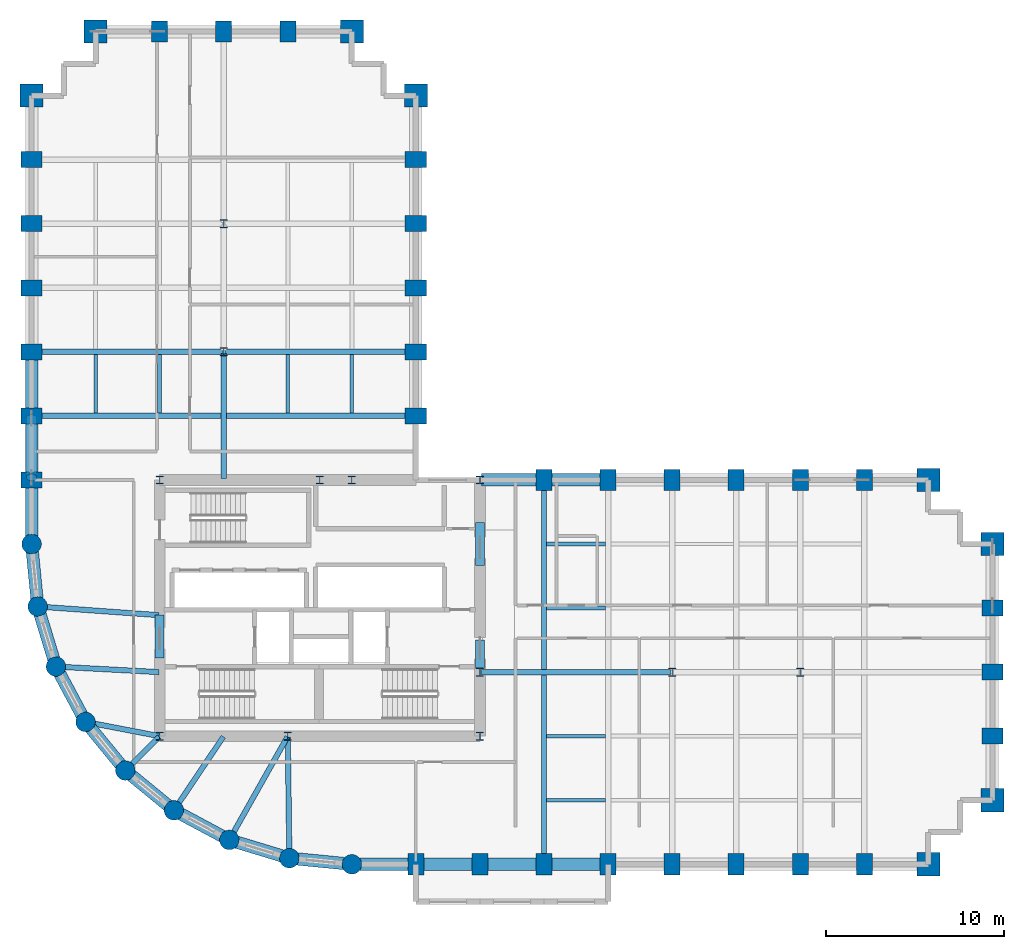
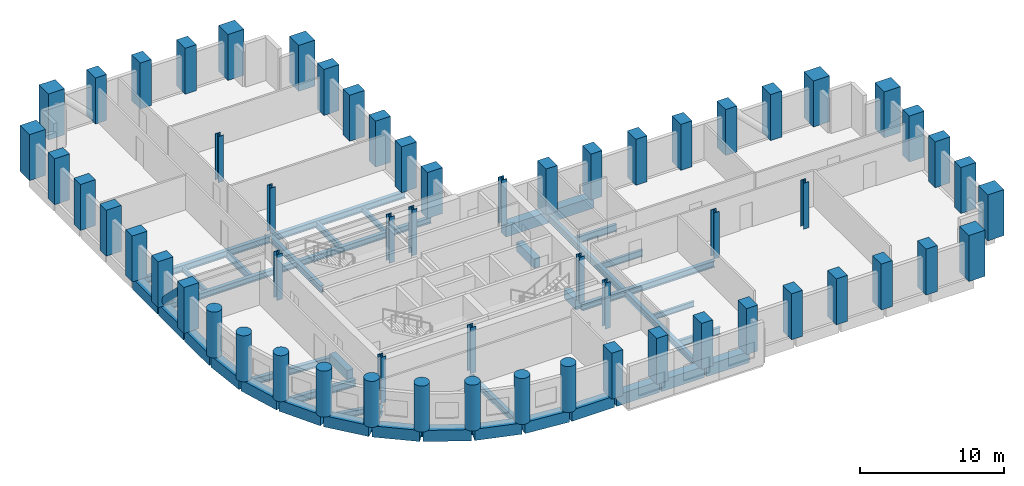
# One storey, part 1 of 9: 60 columns, 41 beams, 1 member.
"""IFC4 building model written with IfcOpenShell, lengths in metres."""

from ifc_helpers import new_model, si_unit, direction, frame, origin, origin_2d, place, context, subcontext, project, spatial, rectangle, circle, hollow_circle, i_section, extrude, material, material_profile, profile_set, type_object, element, save


model = new_model("IFC4")

# Units and contexts
model_context = context("Model", 3, precision=1e-05, world=origin(), true_north=direction((0.0, 1.0)))
body_context = subcontext(model_context, "Body", "Model", "MODEL_VIEW")
ifc_project = project(units=[si_unit("LENGTHUNIT", "METRE"), si_unit("AREAUNIT", "SQUARE_METRE"), si_unit("VOLUMEUNIT", "CUBIC_METRE"), si_unit("PLANEANGLEUNIT", "RADIAN"), si_unit("MASSUNIT", "GRAM", prefix="KILO")], contexts=[model_context])

# Site, building, storey
site_placement = place(None, origin())
site = spatial("IfcSite", under=ifc_project, at=site_placement, CompositionType="ELEMENT")
building_placement = place(site_placement, origin())
building = spatial("IfcBuilding", under=site, at=building_placement, Name="Solnavia Interchange Tower", CompositionType="ELEMENT")
storey_placement = place(building_placement, frame((0.0, 0.0, 66.89990234375)))
storey = spatial("IfcBuildingStorey", under=building, at=storey_placement, Name="L16", CompositionType="ELEMENT", Elevation=66.89990234375)

# Columns
ifc_material_1 = material(Name="Concrete C60/75", Category="concrete")
ifc_material_profile_1 = material_profile(ifc_material_1, rectangle(XDim=0.89990234375, YDim=1.199951171875, at=origin_2d()), Name="RC 1200x900")
ifc_profile_set_1 = profile_set([ifc_material_profile_1], Name="Concrete C60/75")
column_type_1 = type_object("IfcColumnType", Name="Col-RC-1200x900", PredefinedType="COLUMN", material=ifc_profile_set_1)
for number, where, z_axis, x_axis, name in (
    (1, (7.199951171875, 25.199951171875, 0.0), (0.0, 0.0, 1.0), (0.0, 1.0, 0.0), "COL-L16-02 Tower perim y column"),
    (2, (7.199951171875, 28.800048828125, 0.0), (0.0, 0.0, 1.0), (0.0, 1.0, 0.0), "COL-L16-03 Tower perim y column"),
    (3, (7.199951171875, 32.39990234375, 0.0), (0.0, 0.0, 1.0), (0.0, 1.0, 0.0), "COL-L16-04 Tower perim y column"),
    (4, (7.199951171875, 36.0, 0.0), (0.0, 0.0, 1.0), (0.0, 1.0, 0.0), "COL-L16-05 Tower perim y column"),
    (5, (7.199951171875, 39.60009765625, 0.0), (0.0, 0.0, 1.0), (0.0, 1.0, 0.0), "COL-L16-06 Tower perim y column"),
    (6, (7.199951171875, 43.199951171875, 0.0), (0.0, 0.0, 1.0), (0.0, 1.0, 0.0), "COL-L16-07 Tower perim y column"),
    (7, (14.39990234375, 50.39990234375, 0.0), (0.0, 0.0, 1.0), (1.0, 0.0, 0.0), "COL-L16-16 Tower perim x column"),
    (8, (18.0, 50.39990234375, 0.0), (0.0, 0.0, 1.0), (1.0, 0.0, 0.0), "COL-L16-20 Tower perim x column"),
    (9, (21.60009765625, 50.39990234375, 0.0), (0.0, 0.0, 1.0), (1.0, 0.0, 0.0), "COL-L16-23 Tower perim x column"),
    (10, (28.800048828125, 3.60009765625, 0.0), (0.0, 0.0, 1.0), (1.0, 0.0, 0.0), "COL-L16-29 Tower perim x column"),
    (11, (28.800048828125, 28.800048828125, 0.0), (0.0, 0.0, 1.0), (0.0, 1.0, 0.0), "COL-L16-30 Tower perim y column"),
    (12, (28.800048828125, 32.39990234375, 0.0), (0.0, 0.0, 1.0), (0.0, 1.0, 0.0), "COL-L16-31 Tower perim y column"),
    (13, (28.800048828125, 36.0, 0.0), (0.0, 0.0, 1.0), (0.0, 1.0, 0.0), "COL-L16-32 Tower perim y column"),
    (14, (28.800048828125, 39.60009765625, 0.0), (0.0, 0.0, 1.0), (0.0, 1.0, 0.0), "COL-L16-33 Tower perim y column"),
    (15, (28.800048828125, 43.199951171875, 0.0), (0.0, 0.0, 1.0), (0.0, 1.0, 0.0), "COL-L16-34 Tower perim y column"),
    (16, (32.39990234375, 3.60009765625, 0.0), (0.0, 0.0, 1.0), (1.0, 0.0, 0.0), "COL-L16-36 Tower perim x column"),
    (17, (36.0, 3.60009765625, 0.0), (0.0, 0.0, 1.0), (1.0, 0.0, 0.0), "COL-L16-40 Tower perim x column"),
    (18, (36.0, 25.199951171875, 0.0), (0.0, 0.0, 1.0), (1.0, 0.0, 0.0), "COL-L16-41 Tower perim x column"),
    (19, (39.60009765625, 3.60009765625, 0.0), (0.0, 0.0, 1.0), (1.0, 0.0, 0.0), "COL-L16-42 Tower perim x column"),
    (20, (39.60009765625, 25.199951171875, 0.0), (0.0, 0.0, 1.0), (1.0, 0.0, 0.0), "COL-L16-43 Tower perim x column"),
    (21, (43.199951171875, 3.60009765625, 0.0), (0.0, 0.0, 1.0), (1.0, 0.0, 0.0), "COL-L16-44 Tower perim x column"),
    (22, (43.199951171875, 25.199951171875, 0.0), (0.0, 0.0, 1.0), (1.0, 0.0, 0.0), "COL-L16-46 Tower perim x column"),
    (23, (46.800048828125, 3.60009765625, 0.0), (0.0, 0.0, 1.0), (1.0, 0.0, 0.0), "COL-L16-47 Tower perim x column"),
    (24, (46.800048828125, 25.199951171875, 0.0), (0.0, 0.0, 1.0), (1.0, 0.0, 0.0), "COL-L16-48 Tower perim x column"),
    (25, (50.39990234375, 3.60009765625, 0.0), (0.0, 0.0, 1.0), (1.0, 0.0, 0.0), "COL-L16-49 Tower perim x column"),
    (26, (50.39990234375, 25.199951171875, 0.0), (0.0, 0.0, 1.0), (1.0, 0.0, 0.0), "COL-L16-51 Tower perim x column"),
    (27, (54.0, 3.60009765625, 0.0), (0.0, 0.0, 1.0), (1.0, 0.0, 0.0), "COL-L16-52 Tower perim x column"),
    (28, (54.0, 25.199951171875, 0.0), (0.0, 0.0, 1.0), (1.0, 0.0, 0.0), "COL-L16-53 Tower perim x column"),
    (29, (61.199951171875, 10.800048828125, 0.0), (0.0, 0.0, 1.0), (0.0, 1.0, 0.0), "COL-L16-57 Tower perim y column"),
    (30, (61.199951171875, 14.39990234375, 0.0), (0.0, 0.0, 1.0), (0.0, 1.0, 0.0), "COL-L16-58 Tower perim y column"),
    (31, (61.199951171875, 18.0, 0.0), (0.0, 0.0, 1.0), (0.0, 1.0, 0.0), "COL-L16-59 Tower perim y column"),
):
    element("IfcColumn", number, at=place(storey_placement, frame(where, z_axis=z_axis, x_axis=x_axis)), inside=storey, type_object=column_type_1, Name=name, PredefinedType="COLUMN", context=body_context, shape_type="SweptSolid", body=[
        extrude(rectangle(XDim=0.89990234375, YDim=1.199951171875, at=origin_2d()), origin(), (0.0, 0.0, 1.0), 3.900146484375),
    ])
ifc_material_profile_2 = material_profile(ifc_material_1, rectangle(XDim=1.300048828125, YDim=1.300048828125, at=origin_2d()), Name="RC 1300x1300")
ifc_profile_set_2 = profile_set([ifc_material_profile_2], Name="Concrete C60/75")
column_type_2 = type_object("IfcColumnType", Name="Col-RC-1300x1300", PredefinedType="COLUMN", material=ifc_profile_set_2)
for number, where, z_axis, x_axis, name in (
    (32, (7.199951171875, 46.800048828125, 0.0), (0.0, 0.0, 1.0), (0.0, 1.0, 0.0), "COL-L16-08 Tower corner column"),
    (33, (10.800048828125, 50.39990234375, 0.0), (0.0, 0.0, 1.0), (1.0, 0.0, 0.0), "COL-L16-12 Tower corner column"),
    (34, (25.199951171875, 50.39990234375, 0.0), (0.0, 0.0, 1.0), (1.0, 0.0, 0.0), "COL-L16-28 Tower corner column"),
    (35, (28.800048828125, 46.800048828125, 0.0), (0.0, 0.0, 1.0), (0.0, 1.0, 0.0), "COL-L16-35 Tower corner column"),
    (36, (57.60009765625, 3.60009765625, 0.0), (0.0, 0.0, 1.0), (1.0, 0.0, 0.0), "COL-L16-54 Tower corner column"),
    (37, (57.60009765625, 25.199951171875, 0.0), (0.0, 0.0, 1.0), (1.0, 0.0, 0.0), "COL-L16-55 Tower corner column"),
    (38, (61.199951171875, 7.199951171875, 0.0), (0.0, 0.0, 1.0), (1.0, 0.0, 0.0), "COL-L16-56 Tower corner column"),
    (39, (61.199951171875, 21.60009765625, 0.0), (0.0, 0.0, 1.0), (0.0, 1.0, 0.0), "COL-L16-60 Tower corner column"),
):
    element("IfcColumn", number, at=place(storey_placement, frame(where, z_axis=z_axis, x_axis=x_axis)), inside=storey, type_object=column_type_2, Name=name, PredefinedType="COLUMN", context=body_context, shape_type="SweptSolid", body=[
        extrude(rectangle(XDim=1.300048828125, YDim=1.300048828125, at=origin_2d()), origin(), (0.0, 0.0, 1.0), 3.900146484375),
    ])
ifc_material_profile_3 = material_profile(ifc_material_1, circle(Radius=0.550048828125, at=origin_2d()), Name="RC D1100")
ifc_profile_set_3 = profile_set([ifc_material_profile_3], Name="Concrete C60/75")
column_type_3 = type_object("IfcColumnType", Name="Col-RC-D1100", PredefinedType="COLUMN", material=ifc_profile_set_3)
for number, where, z_axis, x_axis, name in (
    (40, (7.199951171875, 21.60009765625, 0.0), (0.0, 0.0, 1.0), (1.0, 0.0, 0.0), "COL-L16-01 Tower drum column"),
    (41, (7.5458984375, 18.087890625, 0.0), (0.0, 0.0, 1.0), (1.0, 0.0, 0.0), "COL-L16-09 Tower drum column"),
    (42, (8.570068359375, 14.7119140625, 0.0), (0.0, 0.0, 1.0), (1.0, 0.0, 0.0), "COL-L16-10 Tower drum column"),
    (43, (10.23388671875, 11.60009765625, 0.0), (0.0, 0.0, 1.0), (1.0, 0.0, 0.0), "COL-L16-11 Tower drum column"),
    (44, (12.471923828125, 8.8720703125, 0.0), (0.0, 0.0, 1.0), (1.0, 0.0, 0.0), "COL-L16-13 Tower drum column"),
    (45, (15.199951171875, 6.634033203125, 0.0), (0.0, 0.0, 1.0), (1.0, 0.0, 0.0), "COL-L16-17 Tower drum column"),
    (46, (18.31201171875, 4.969970703125, 0.0), (0.0, 0.0, 1.0), (1.0, 0.0, 0.0), "COL-L16-21 Tower drum column"),
    (47, (21.68798828125, 3.946044921875, 0.0), (0.0, 0.0, 1.0), (1.0, 0.0, 0.0), "COL-L16-24 Tower drum column"),
    (48, (25.199951171875, 3.60009765625, 0.0), (0.0, 0.0, 1.0), (1.0, 0.0, 0.0), "COL-L16-26 Tower drum column"),
):
    element("IfcColumn", number, at=place(storey_placement, frame(where, z_axis=z_axis, x_axis=x_axis)), inside=storey, type_object=column_type_3, Name=name, PredefinedType="COLUMN", context=body_context, shape_type="SweptSolid", body=[
        extrude(circle(Radius=0.550048828125, at=origin_2d()), origin(), (0.0, 0.0, 1.0), 3.900146484375),
    ])
ifc_material_2 = material(Name="Steel S355", Category="steel")
ifc_material_profile_4 = material_profile(ifc_material_2, i_section(OverallWidth=0.424072265625, OverallDepth=0.467041015625, WebThickness=0.032958984375, FlangeThickness=0.053466796875, FilletRadius=0.014892578125, at=origin_2d()), Name="HD 400x509")
ifc_profile_set_4 = profile_set([ifc_material_profile_4], Name="Steel S355")
column_type_4 = type_object("IfcColumnType", Name="Col-Steel-HD400x509", PredefinedType="COLUMN", material=ifc_profile_set_4)
for number, where, z_axis, x_axis, name in (
    (49, (14.39990234375, 10.800048828125, 0.0), (0.0, 0.0, 1.0), (1.0, 0.0, 0.0), "COL-L16-14 Tower interior column"),
    (50, (14.39990234375, 25.199951171875, 0.0), (0.0, 0.0, 1.0), (1.0, 0.0, 0.0), "COL-L16-15 Tower interior column"),
    (51, (18.0, 32.39990234375, 0.0), (0.0, 0.0, 1.0), (1.0, 0.0, 0.0), "COL-L16-18 Tower interior column"),
    (52, (18.0, 39.60009765625, 0.0), (0.0, 0.0, 1.0), (1.0, 0.0, 0.0), "COL-L16-19 Tower interior column"),
    (53, (21.60009765625, 10.800048828125, 0.0), (0.0, 0.0, 1.0), (1.0, 0.0, 0.0), "COL-L16-22 Tower interior column"),
    (54, (23.39990234375, 25.199951171875, 0.0), (0.0, 0.0, 1.0), (1.0, 0.0, 0.0), "COL-L16-25 Tower interior column"),
    (55, (25.199951171875, 25.199951171875, 0.0), (0.0, 0.0, 1.0), (1.0, 0.0, 0.0), "COL-L16-27 Tower interior column"),
    (56, (32.39990234375, 10.800048828125, 0.0), (0.0, 0.0, 1.0), (1.0, 0.0, 0.0), "COL-L16-37 Tower interior column"),
    (57, (32.39990234375, 14.39990234375, 0.0), (0.0, 0.0, 1.0), (1.0, 0.0, 0.0), "COL-L16-38 Tower interior column"),
    (58, (32.39990234375, 25.199951171875, 0.0), (0.0, 0.0, 1.0), (1.0, 0.0, 0.0), "COL-L16-39 Tower interior column"),
    (59, (43.199951171875, 14.39990234375, 0.0), (0.0, 0.0, 1.0), (1.0, 0.0, 0.0), "COL-L16-45 Tower interior column"),
    (60, (50.39990234375, 14.39990234375, 0.0), (0.0, 0.0, 1.0), (1.0, 0.0, 0.0), "COL-L16-50 Tower interior column"),
):
    element("IfcColumn", number, at=place(storey_placement, frame(where, z_axis=z_axis, x_axis=x_axis)), inside=storey, type_object=column_type_4, Name=name, PredefinedType="COLUMN", context=body_context, shape_type="SweptSolid", body=[
        extrude(i_section(OverallWidth=0.424072265625, OverallDepth=0.467041015625, WebThickness=0.032958984375, FlangeThickness=0.053466796875, FilletRadius=0.014892578125, at=origin_2d()), origin(), (0.0, 0.0, 1.0), 3.900146484375),
    ])

# Beams
ifc_material_3 = material(Name="Concrete C50/60", Category="concrete")
ifc_material_profile_5 = material_profile(ifc_material_3, rectangle(XDim=0.5, YDim=0.800048828125, at=origin_2d()), Name="RC 500x800")
ifc_profile_set_5 = profile_set([ifc_material_profile_5], Name="Concrete C50/60")
beam_type_1 = type_object("IfcBeamType", Name="Beam-Coupling-RC500x800", PredefinedType="LINTEL", material=ifc_profile_set_5)
beam_1_placement = place(storey_placement, frame((14.39990234375, 15.199951171875, -0.39990234375), z_axis=(0.0, 1.0, 0.0), x_axis=(-1.0, 0.0, 0.0)))
element("IfcBeam", 61, at=beam_1_placement, inside=storey, type_object=beam_type_1, Name="CPB-L16-W1 Core coupling lintel beam", PredefinedType="LINTEL", context=body_context, shape_type="SweptSolid", body=[
    extrude(rectangle(XDim=0.5, YDim=0.800048828125, at=origin_2d()), origin(), (0.0, 0.0, 1.0), 2.400146484375),
])
beam_2_placement = place(storey_placement, frame((32.39990234375, 14.60009765625, -0.39990234375), z_axis=(0.0, 1.0, 0.0), x_axis=(-1.0, 0.0, 0.0)))
element("IfcBeam", 62, at=beam_2_placement, inside=storey, type_object=beam_type_1, Name="CPB-L16-E1 Core coupling lintel beam", PredefinedType="LINTEL", context=body_context, shape_type="SweptSolid", body=[
    extrude(rectangle(XDim=0.5, YDim=0.800048828125, at=origin_2d()), origin(), (0.0, 0.0, 1.0), 1.599853515625),
])
beam_3_placement = place(storey_placement, frame((32.39990234375, 20.39990234375, -0.39990234375), z_axis=(0.0, 1.0, 0.0), x_axis=(-1.0, 0.0, 0.0)))
element("IfcBeam", 63, at=beam_3_placement, inside=storey, type_object=beam_type_1, Name="CPB-L16-E2 Core coupling lintel beam", PredefinedType="LINTEL", context=body_context, shape_type="SweptSolid", body=[
    extrude(rectangle(XDim=0.5, YDim=0.800048828125, at=origin_2d()), origin(), (0.0, 0.0, 1.0), 2.400146484375),
])
ifc_material_4 = material(Name="Steel S460", Category="steel")
ifc_material_profile_6 = material_profile(ifc_material_4, i_section(OverallWidth=0.300048828125, OverallDepth=0.550048828125, WebThickness=0.014892578125, FlangeThickness=0.029052734375, FilletRadius=0.027099609375, at=origin_2d()), Name="HEB 550")
ifc_profile_set_6 = profile_set([ifc_material_profile_6], Name="Steel S460")
beam_type_2 = type_object("IfcBeamType", Name="Beam-Girder-HEB550", PredefinedType="BEAM", material=ifc_profile_set_6)
beam_4_placement = place(storey_placement, frame((32.47998046875, 14.39990234375, -0.52490234375), z_axis=(1.0, 0.0, 0.0), x_axis=(0.0, 1.0, 0.0)))
element("IfcBeam", 64, at=beam_4_placement, inside=storey, type_object=beam_type_2, Name="GRD-L16-ES01 East wing spine girder", PredefinedType="BEAM", context=body_context, shape_type="SweptSolid", body=[
    extrude(i_section(OverallWidth=0.300048828125, OverallDepth=0.550048828125, WebThickness=0.014892578125, FlangeThickness=0.029052734375, FilletRadius=0.027099609375, at=origin_2d()), origin(), (0.0, 0.0, 1.0), 10.64013671875),
])
beam_5_placement = place(storey_placement, frame((36.0, 3.679931640625, -0.52490234375), z_axis=(0.0, 1.0, 0.0), x_axis=(-1.0, 0.0, 0.0)))
element("IfcBeam", 65, at=beam_5_placement, inside=storey, type_object=beam_type_2, Name="GRD-L16-EW04 East wing primary floor girder", PredefinedType="BEAM", context=body_context, shape_type="SweptSolid", body=[
    extrude(i_section(OverallWidth=0.300048828125, OverallDepth=0.550048828125, WebThickness=0.014892578125, FlangeThickness=0.029052734375, FilletRadius=0.027099609375, at=origin_2d()), origin(), (0.0, 0.0, 1.0), 21.440185546875),
])
beam_6_placement = place(storey_placement, frame((18.0, 25.280029296875, -0.52490234375), z_axis=(0.0, 1.0, 0.0), x_axis=(-1.0, 0.0, 0.0)))
element("IfcBeam", 66, at=beam_6_placement, inside=storey, type_object=beam_type_2, Name="GRD-L16-NS12 North wing spine girder", PredefinedType="BEAM", context=body_context, shape_type="SweptSolid", body=[
    extrude(i_section(OverallWidth=0.300048828125, OverallDepth=0.550048828125, WebThickness=0.014892578125, FlangeThickness=0.029052734375, FilletRadius=0.027099609375, at=origin_2d()), origin(), (0.0, 0.0, 1.0), 7.0400390625),
])
for number, where, z_axis, x_axis, name in (
    (67, (7.280029296875, 32.39990234375, -0.52490234375), (1.0, 0.0, 0.0), (0.0, 1.0, 0.0), "GRD-L16-NW16 North wing primary floor girder"),
    (68, (18.080078125, 32.39990234375, -0.52490234375), (1.0, 0.0, 0.0), (0.0, 1.0, 0.0), "GRD-L16-NW17 North wing primary floor girder"),
):
    element("IfcBeam", number, at=place(storey_placement, frame(where, z_axis=z_axis, x_axis=x_axis)), inside=storey, type_object=beam_type_2, Name=name, PredefinedType="BEAM", context=body_context, shape_type="SweptSolid", body=[
        extrude(i_section(OverallWidth=0.300048828125, OverallDepth=0.550048828125, WebThickness=0.014892578125, FlangeThickness=0.029052734375, FilletRadius=0.027099609375, at=origin_2d()), origin(), (0.0, 0.0, 1.0), 10.639892578125),
    ])
beam_7_placement = place(storey_placement, frame((7.625732421875, 18.082275390625, -0.52490234375), z_axis=(0.99747482749, -0.071020902015, 0.0), x_axis=(0.071020902015, 0.99747482749, 0.0)))
element("IfcBeam", 69, at=beam_7_placement, inside=storey, type_object=beam_type_2, Name="GRD-L16-DR22 Drum radial floor girder", PredefinedType="BEAM", context=body_context, shape_type="SweptSolid", body=[
    extrude(i_section(OverallWidth=0.300048828125, OverallDepth=0.550048828125, WebThickness=0.014892578125, FlangeThickness=0.029052734375, FilletRadius=0.027099609375, at=origin_2d()), origin(), (0.0, 0.0, 1.0), 6.75146484375),
])
beam_8_placement = place(storey_placement, frame((12.528564453125, 8.9287109375, -0.52490234375), z_axis=(0.707106781187, 0.707106781187, 0.0), x_axis=(-0.707106781187, 0.707106781187, 0.0)))
element("IfcBeam", 70, at=beam_8_placement, inside=storey, type_object=beam_type_2, Name="GRD-L16-DR25 Drum radial floor girder", PredefinedType="BEAM", context=body_context, shape_type="SweptSolid", body=[
    extrude(i_section(OverallWidth=0.300048828125, OverallDepth=0.550048828125, WebThickness=0.014892578125, FlangeThickness=0.029052734375, FilletRadius=0.027099609375, at=origin_2d()), origin(), (0.0, 0.0, 1.0), 2.6064453125),
])
beam_9_placement = place(storey_placement, frame((21.68701171875, 4.02587890625, -0.52490234375), z_axis=(-0.01283293513, 0.999917654498, 0.0), x_axis=(-0.999917654498, -0.01283293513, 0.0)))
element("IfcBeam", 71, at=beam_9_placement, inside=storey, type_object=beam_type_2, Name="GRD-L16-DR28 Drum radial floor girder", PredefinedType="BEAM", context=body_context, shape_type="SweptSolid", body=[
    extrude(i_section(OverallWidth=0.300048828125, OverallDepth=0.550048828125, WebThickness=0.014892578125, FlangeThickness=0.029052734375, FilletRadius=0.027099609375, at=origin_2d()), origin(), (0.0, 0.0, 1.0), 6.734619140625),
])
ifc_material_profile_7 = material_profile(ifc_material_2, i_section(OverallWidth=0.18994140625, OverallDepth=0.449951171875, WebThickness=0.009521484375, FlangeThickness=0.0146484375, FilletRadius=0.02099609375, at=origin_2d()), Name="IPE 450")
ifc_profile_set_7 = profile_set([ifc_material_profile_7], Name="Steel S355")
beam_type_3 = type_object("IfcBeamType", Name="Beam-Joist-IPE450", PredefinedType="JOIST", material=ifc_profile_set_7)
for number, where, z_axis, x_axis, name in (
    (72, (36.14990234375, 10.800048828125, -0.474853515625), (1.0, 0.0, 0.0), (0.0, 1.0, 0.0), "JST-L16-E06 East wing secondary joist"),
    (73, (10.800048828125, 28.949951171875, -0.474853515625), (0.0, 1.0, 0.0), (-1.0, 0.0, 0.0), "JST-L16-N21 North wing secondary joist"),
    (74, (25.199951171875, 28.949951171875, -0.474853515625), (0.0, 1.0, 0.0), (-1.0, 0.0, 0.0), "JST-L16-N33 North wing secondary joist"),
):
    element("IfcBeam", number, at=place(storey_placement, frame(where, z_axis=z_axis, x_axis=x_axis)), inside=storey, type_object=beam_type_3, Name=name, PredefinedType="JOIST", context=body_context, shape_type="SweptSolid", body=[
        extrude(i_section(OverallWidth=0.18994140625, OverallDepth=0.449951171875, WebThickness=0.009521484375, FlangeThickness=0.0146484375, FilletRadius=0.02099609375, at=origin_2d()), origin(), (0.0, 0.0, 1.0), 3.300048828125),
    ])
ifc_material_profile_8 = material_profile(ifc_material_2, i_section(OverallWidth=0.2099609375, OverallDepth=0.550048828125, WebThickness=0.010986328125, FlangeThickness=0.01708984375, FilletRadius=0.02392578125, at=origin_2d()), Name="IPE 550")
ifc_profile_set_8 = profile_set([ifc_material_profile_8], Name="Steel S355")
beam_type_4 = type_object("IfcBeamType", Name="Beam-Joist-IPE550", PredefinedType="JOIST", material=ifc_profile_set_8)
for number, where, z_axis, x_axis, name in (
    (75, (36.14990234375, 18.0, -0.52490234375), (1.0, 0.0, 0.0), (0.0, 1.0, 0.0), "JST-L16-E11 East wing secondary joist"),
    (76, (21.60009765625, 28.949951171875, -0.52490234375), (0.0, 1.0, 0.0), (-1.0, 0.0, 0.0), "JST-L16-N29 North wing secondary joist"),
):
    element("IfcBeam", number, at=place(storey_placement, frame(where, z_axis=z_axis, x_axis=x_axis)), inside=storey, type_object=beam_type_4, Name=name, PredefinedType="JOIST", context=body_context, shape_type="SweptSolid", body=[
        extrude(i_section(OverallWidth=0.2099609375, OverallDepth=0.550048828125, WebThickness=0.010986328125, FlangeThickness=0.01708984375, FilletRadius=0.02392578125, at=origin_2d()), origin(), (0.0, 0.0, 1.0), 3.300048828125),
    ])
ifc_material_profile_9 = material_profile(ifc_material_2, i_section(OverallWidth=0.219970703125, OverallDepth=0.60009765625, WebThickness=0.011962890625, FlangeThickness=0.01904296875, FilletRadius=0.02392578125, at=origin_2d()), Name="IPE 600")
ifc_profile_set_9 = profile_set([ifc_material_profile_9], Name="Steel S355")
beam_type_5 = type_object("IfcBeamType", Name="Beam-Joist-IPE600", PredefinedType="JOIST", material=ifc_profile_set_9)
for number, where, z_axis, x_axis, name in (
    (77, (36.14990234375, 7.199951171875, -0.5498046875), (1.0, 0.0, 0.0), (0.0, 1.0, 0.0), "JST-L16-E01 East wing secondary joist"),
    (78, (36.14990234375, 21.60009765625, -0.5498046875), (1.0, 0.0, 0.0), (0.0, 1.0, 0.0), "JST-L16-E16 East wing secondary joist"),
    (79, (14.39990234375, 28.949951171875, -0.5498046875), (0.0, 1.0, 0.0), (-1.0, 0.0, 0.0), "JST-L16-N25 North wing secondary joist"),
):
    element("IfcBeam", number, at=place(storey_placement, frame(where, z_axis=z_axis, x_axis=x_axis)), inside=storey, type_object=beam_type_5, Name=name, PredefinedType="JOIST", context=body_context, shape_type="SweptSolid", body=[
        extrude(i_section(OverallWidth=0.219970703125, OverallDepth=0.60009765625, WebThickness=0.011962890625, FlangeThickness=0.01904296875, FilletRadius=0.02392578125, at=origin_2d()), origin(), (0.0, 0.0, 1.0), 3.300048828125),
    ])
ifc_material_profile_10 = material_profile(ifc_material_2, i_section(OverallWidth=0.300048828125, OverallDepth=0.489990234375, WebThickness=0.011962890625, FlangeThickness=0.02294921875, FilletRadius=0.027099609375, at=origin_2d()), Name="HEA 500")
ifc_profile_set_10 = profile_set([ifc_material_profile_10], Name="Steel S355")
beam_type_6 = type_object("IfcBeamType", Name="Beam-Primary-HEA500", PredefinedType="BEAM", material=ifc_profile_set_10)
beam_10_placement = place(storey_placement, frame((7.280029296875, 28.800048828125, -0.494873046875), z_axis=(1.0, 0.0, 0.0), x_axis=(0.0, 1.0, 0.0)))
element("IfcBeam", 80, at=beam_10_placement, inside=storey, type_object=beam_type_6, Name="GRD-L16-NW15 North wing primary floor girder", PredefinedType="BEAM", context=body_context, shape_type="SweptSolid", body=[
    extrude(i_section(OverallWidth=0.300048828125, OverallDepth=0.489990234375, WebThickness=0.011962890625, FlangeThickness=0.02294921875, FilletRadius=0.027099609375, at=origin_2d()), origin(), (0.0, 0.0, 1.0), 21.43994140625),
])
beam_11_placement = place(storey_placement, frame((10.3125, 11.5849609375, -0.494873046875), z_axis=(0.982057527796, -0.188581579428, 0.0), x_axis=(0.188581579428, 0.982057527796, 0.0)))
element("IfcBeam", 81, at=beam_11_placement, inside=storey, type_object=beam_type_6, Name="GRD-L16-DR24 Drum radial floor girder", PredefinedType="BEAM", context=body_context, shape_type="SweptSolid", body=[
    extrude(i_section(OverallWidth=0.300048828125, OverallDepth=0.489990234375, WebThickness=0.011962890625, FlangeThickness=0.02294921875, FilletRadius=0.027099609375, at=origin_2d()), origin(), (0.0, 0.0, 1.0), 4.1220703125),
])
beam_12_placement = place(storey_placement, frame((18.351318359375, 5.039794921875, -0.494873046875), z_axis=(0.491243158486, 0.871022479182, 0.0), x_axis=(-0.871022479182, 0.491243158486, 0.0)))
element("IfcBeam", 82, at=beam_12_placement, inside=storey, type_object=beam_type_6, Name="GRD-L16-DR27 Drum radial floor girder", PredefinedType="BEAM", context=body_context, shape_type="SweptSolid", body=[
    extrude(i_section(OverallWidth=0.300048828125, OverallDepth=0.489990234375, WebThickness=0.011962890625, FlangeThickness=0.02294921875, FilletRadius=0.027099609375, at=origin_2d()), origin(), (0.0, 0.0, 1.0), 6.5732421875),
])
ifc_material_profile_11 = material_profile(ifc_material_2, i_section(OverallWidth=0.300048828125, OverallDepth=0.590087890625, WebThickness=0.012939453125, FlangeThickness=0.02490234375, FilletRadius=0.027099609375, at=origin_2d()), Name="HEA 600")
ifc_profile_set_11 = profile_set([ifc_material_profile_11], Name="Steel S355")
beam_type_7 = type_object("IfcBeamType", Name="Beam-Primary-HEA600", PredefinedType="BEAM", material=ifc_profile_set_11)
beam_13_placement = place(storey_placement, frame((8.64990234375, 14.707763671875, -0.544921875), z_axis=(0.998570371303, -0.053452909696, 0.0), x_axis=(0.053452909696, 0.998570371303, 0.0)))
element("IfcBeam", 83, at=beam_13_placement, inside=storey, type_object=beam_type_7, Name="GRD-L16-DR23 Drum radial floor girder", PredefinedType="BEAM", context=body_context, shape_type="SweptSolid", body=[
    extrude(i_section(OverallWidth=0.300048828125, OverallDepth=0.590087890625, WebThickness=0.012939453125, FlangeThickness=0.02490234375, FilletRadius=0.027099609375, at=origin_2d()), origin(), (0.0, 0.0, 1.0), 5.71826171875),
])
beam_14_placement = place(storey_placement, frame((15.24462890625, 6.700439453125, -0.544921875), z_axis=(0.557835474219, 0.829951555033, 0.0), x_axis=(-0.829951555033, 0.557835474219, 0.0)))
element("IfcBeam", 84, at=beam_14_placement, inside=storey, type_object=beam_type_7, Name="GRD-L16-DR26 Drum radial floor girder", PredefinedType="BEAM", context=body_context, shape_type="SweptSolid", body=[
    extrude(i_section(OverallWidth=0.300048828125, OverallDepth=0.590087890625, WebThickness=0.012939453125, FlangeThickness=0.02490234375, FilletRadius=0.027099609375, at=origin_2d()), origin(), (0.0, 0.0, 1.0), 4.899658203125),
])
ifc_material_profile_12 = material_profile(ifc_material_3, rectangle(XDim=0.699951171875, YDim=0.949951171875, at=origin_2d()), Name="RC 700x950")
ifc_profile_set_12 = profile_set([ifc_material_profile_12], Name="Concrete C50/60")
beam_type_8 = type_object("IfcBeamType", Name="Beam-Spandrel-RC700x950", PredefinedType="SPANDREL", material=ifc_profile_set_12)
beam_15_placement = place(storey_placement, frame((7.207763671875, 21.5205078125, -0.474853515625), z_axis=(0.098040038117, -0.995182471171, 0.0), x_axis=(0.995182471171, 0.098040038117, 0.0)))
element("IfcBeam", 85, at=beam_15_placement, inside=storey, type_object=beam_type_8, Name="SPB-L16-01 Framed-tube perimeter spandrel beam", PredefinedType="SPANDREL", context=body_context, shape_type="SweptSolid", body=[
    extrude(rectangle(XDim=0.699951171875, YDim=0.949951171875, at=origin_2d()), origin(), (0.0, 0.0, 1.0), 3.369140625),
])
beam_16_placement = place(storey_placement, frame((7.569091796875, 18.011474609375, -0.474853515625), z_axis=(0.290319223646, -0.956929855518, 0.0), x_axis=(0.956929855518, 0.290319223646, 0.0)))
element("IfcBeam", 86, at=beam_16_placement, inside=storey, type_object=beam_type_8, Name="SPB-L16-02 Framed-tube perimeter spandrel beam", PredefinedType="SPANDREL", context=body_context, shape_type="SweptSolid", body=[
    extrude(rectangle(XDim=0.699951171875, YDim=0.949951171875, at=origin_2d()), origin(), (0.0, 0.0, 1.0), 3.367919921875),
])
beam_17_placement = place(storey_placement, frame((8.607666015625, 14.6416015625, -0.474853515625), z_axis=(0.471509422952, -0.881861023102, 0.0), x_axis=(0.881861023102, 0.471509422952, 0.0)))
element("IfcBeam", 87, at=beam_17_placement, inside=storey, type_object=beam_type_8, Name="SPB-L16-03 Framed-tube perimeter spandrel beam", PredefinedType="SPANDREL", context=body_context, shape_type="SweptSolid", body=[
    extrude(rectangle(XDim=0.699951171875, YDim=0.949951171875, at=origin_2d()), origin(), (0.0, 0.0, 1.0), 3.369140625),
])
for number, where, z_axis, x_axis, name in (
    (88, (10.28466796875, 11.5380859375, -0.474853515625), (0.634298841675, -0.773087950656, 0.0), (0.773087950656, 0.634298841675, 0.0), "SPB-L16-04 Framed-tube perimeter spandrel beam"),
    (89, (12.53369140625, 8.8212890625, -0.474853515625), (0.773152644452, -0.634219984214, 0.0), (0.634219984214, 0.773152644452, 0.0), "SPB-L16-05 Framed-tube perimeter spandrel beam"),
):
    element("IfcBeam", number, at=place(storey_placement, frame(where, z_axis=z_axis, x_axis=x_axis)), inside=storey, type_object=beam_type_8, Name=name, PredefinedType="SPANDREL", context=body_context, shape_type="SweptSolid", body=[
        extrude(rectangle(XDim=0.699951171875, YDim=0.949951171875, at=origin_2d()), origin(), (0.0, 0.0, 1.0), 3.36865234375),
    ])
beam_18_placement = place(storey_placement, frame((15.2705078125, 6.59619140625, -0.474853515625), z_axis=(0.881875044348, -0.47148319817, 0.0), x_axis=(0.47148319817, 0.881875044348, 0.0)))
element("IfcBeam", 90, at=beam_18_placement, inside=storey, type_object=beam_type_8, Name="SPB-L16-06 Framed-tube perimeter spandrel beam", PredefinedType="SPANDREL", context=body_context, shape_type="SweptSolid", body=[
    extrude(rectangle(XDim=0.699951171875, YDim=0.949951171875, at=origin_2d()), origin(), (0.0, 0.0, 1.0), 3.368896484375),
])
beam_19_placement = place(storey_placement, frame((18.388671875, 4.94677734375, -0.474853515625), z_axis=(0.956943884494, -0.290272978297, 0.0), x_axis=(0.290272978297, 0.956943884494, 0.0)))
element("IfcBeam", 91, at=beam_19_placement, inside=storey, type_object=beam_type_8, Name="SPB-L16-07 Framed-tube perimeter spandrel beam", PredefinedType="SPANDREL", context=body_context, shape_type="SweptSolid", body=[
    extrude(rectangle(XDim=0.699951171875, YDim=0.949951171875, at=origin_2d()), origin(), (0.0, 0.0, 1.0), 3.36767578125),
])
beam_20_placement = place(storey_placement, frame((21.767578125, 3.938232421875, -0.474853515625), z_axis=(0.995181774609, -0.098047108501, 0.0), x_axis=(0.098047108501, 0.995181774609, 0.0)))
element("IfcBeam", 92, at=beam_20_placement, inside=storey, type_object=beam_type_8, Name="SPB-L16-08 Framed-tube perimeter spandrel beam", PredefinedType="SPANDREL", context=body_context, shape_type="SweptSolid", body=[
    extrude(rectangle(XDim=0.699951171875, YDim=0.949951171875, at=origin_2d()), origin(), (0.0, 0.0, 1.0), 3.368896484375),
])
beam_21_placement = place(storey_placement, frame((25.280029296875, 3.60009765625, -0.474853515625), z_axis=(1.0, 0.0, 0.0), x_axis=(0.0, 1.0, 0.0)))
element("IfcBeam", 93, at=beam_21_placement, inside=storey, type_object=beam_type_8, Name="SPB-L16-09 Framed-tube perimeter spandrel beam", PredefinedType="SPANDREL", context=body_context, shape_type="SweptSolid", body=[
    extrude(rectangle(XDim=0.699951171875, YDim=0.949951171875, at=origin_2d()), origin(), (0.0, 0.0, 1.0), 3.43994140625),
])
beam_22_placement = place(storey_placement, frame((28.8798828125, 3.60009765625, -0.474853515625), z_axis=(1.0, 0.0, 0.0), x_axis=(0.0, 1.0, 0.0)))
element("IfcBeam", 94, at=beam_22_placement, inside=storey, type_object=beam_type_8, Name="SPB-L16-10 Framed-tube perimeter spandrel beam", PredefinedType="SPANDREL", context=body_context, shape_type="SweptSolid", body=[
    extrude(rectangle(XDim=0.699951171875, YDim=0.949951171875, at=origin_2d()), origin(), (0.0, 0.0, 1.0), 3.440185546875),
])
for number, where, z_axis, x_axis, name in (
    (95, (32.47998046875, 3.60009765625, -0.474853515625), (1.0, 0.0, 0.0), (0.0, 1.0, 0.0), "SPB-L16-11 Framed-tube perimeter spandrel beam"),
    (96, (36.080078125, 3.60009765625, -0.474853515625), (1.0, 0.0, 0.0), (0.0, 1.0, 0.0), "SPB-L16-12 Framed-tube perimeter spandrel beam"),
    (97, (39.52001953125, 25.199951171875, -0.474853515625), (-1.0, 0.0, 0.0), (0.0, -1.0, 0.0), "SPB-L16-27 Framed-tube perimeter spandrel beam"),
    (98, (35.919921875, 25.199951171875, -0.474853515625), (-1.0, 0.0, 0.0), (0.0, -1.0, 0.0), "SPB-L16-28 Framed-tube perimeter spandrel beam"),
):
    element("IfcBeam", number, at=place(storey_placement, frame(where, z_axis=z_axis, x_axis=x_axis)), inside=storey, type_object=beam_type_8, Name=name, PredefinedType="SPANDREL", context=body_context, shape_type="SweptSolid", body=[
        extrude(rectangle(XDim=0.699951171875, YDim=0.949951171875, at=origin_2d()), origin(), (0.0, 0.0, 1.0), 3.43994140625),
    ])
beam_23_placement = place(storey_placement, frame((7.199951171875, 32.320068359375, -0.474853515625), z_axis=(0.0, -1.0, 0.0), x_axis=(1.0, 0.0, 0.0)))
element("IfcBeam", 99, at=beam_23_placement, inside=storey, type_object=beam_type_8, Name="SPB-L16-42 Framed-tube perimeter spandrel beam", PredefinedType="SPANDREL", context=body_context, shape_type="SweptSolid", body=[
    extrude(rectangle(XDim=0.699951171875, YDim=0.949951171875, at=origin_2d()), origin(), (0.0, 0.0, 1.0), 3.440185546875),
])
beam_24_placement = place(storey_placement, frame((7.199951171875, 28.719970703125, -0.474853515625), z_axis=(0.0, -1.0, 0.0), x_axis=(1.0, 0.0, 0.0)))
element("IfcBeam", 100, at=beam_24_placement, inside=storey, type_object=beam_type_8, Name="SPB-L16-43 Framed-tube perimeter spandrel beam", PredefinedType="SPANDREL", context=body_context, shape_type="SweptSolid", body=[
    extrude(rectangle(XDim=0.699951171875, YDim=0.949951171875, at=origin_2d()), origin(), (0.0, 0.0, 1.0), 3.43994140625),
])
beam_25_placement = place(storey_placement, frame((7.199951171875, 25.1201171875, -0.474853515625), z_axis=(0.0, -1.0, 0.0), x_axis=(1.0, 0.0, 0.0)))
element("IfcBeam", 101, at=beam_25_placement, inside=storey, type_object=beam_type_8, Name="SPB-L16-44 Framed-tube perimeter spandrel beam", PredefinedType="SPANDREL", context=body_context, shape_type="SweptSolid", body=[
    extrude(rectangle(XDim=0.699951171875, YDim=0.949951171875, at=origin_2d()), origin(), (0.0, 0.0, 1.0), 3.440185546875),
])

# Member
ifc_material_profile_13 = material_profile(ifc_material_4, hollow_circle(Radius=0.304931640625, WallThickness=0.02490234375, at=origin_2d()), Name="CHS 610x25")
ifc_profile_set_13 = profile_set([ifc_material_profile_13], Name="Steel S460")
member_type = type_object("IfcMemberType", Name="Brace-Perim-CHS610", PredefinedType="BRACE", material=ifc_profile_set_13)
member_placement = place(storey_placement, frame((7.199951171875, 28.659912109375, 0.18017578125), z_axis=(0.0, -0.710285911997, 0.703913292401), x_axis=(1.0, 0.0, 0.0)))
element("IfcMember", 102, at=member_placement, inside=storey, type_object=member_type, Name="BRC-L16-01 Perimeter tube diagonal brace", PredefinedType="BRACE", context=body_context, shape_type="SweptSolid", body=[
    extrude(hollow_circle(Radius=0.304931640625, WallThickness=0.02490234375, at=origin_2d()), origin(), (0.0, 0.0, 1.0), 4.673828125),
])

save(model, "model.ifc")
